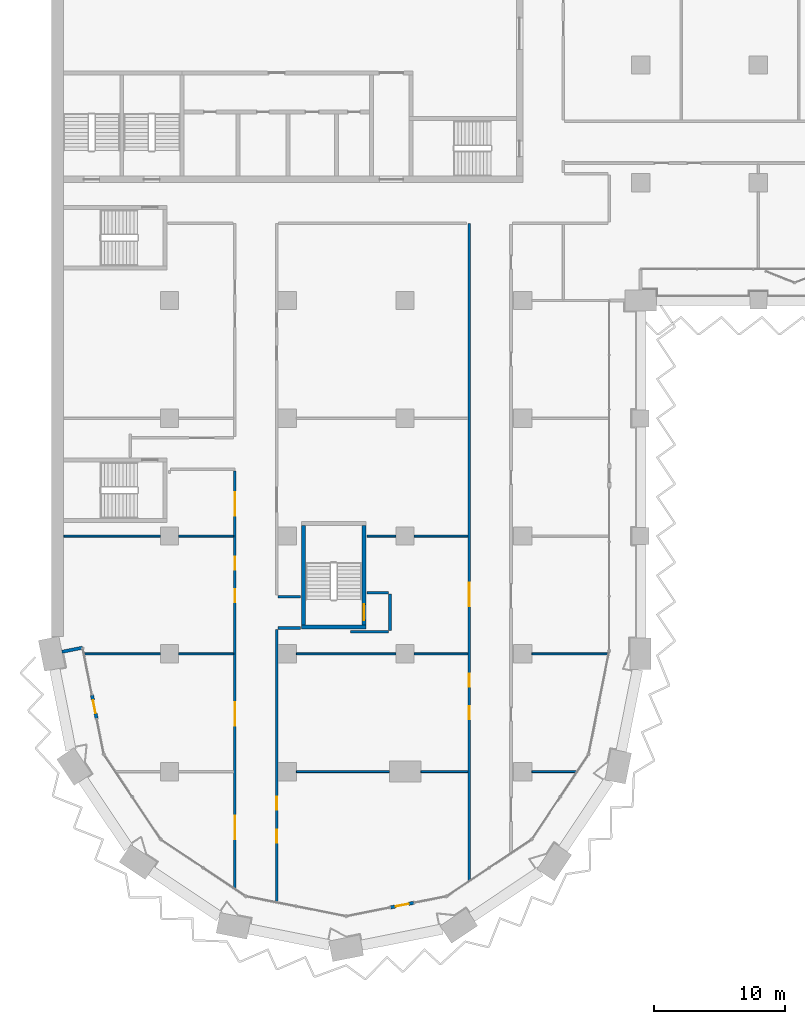
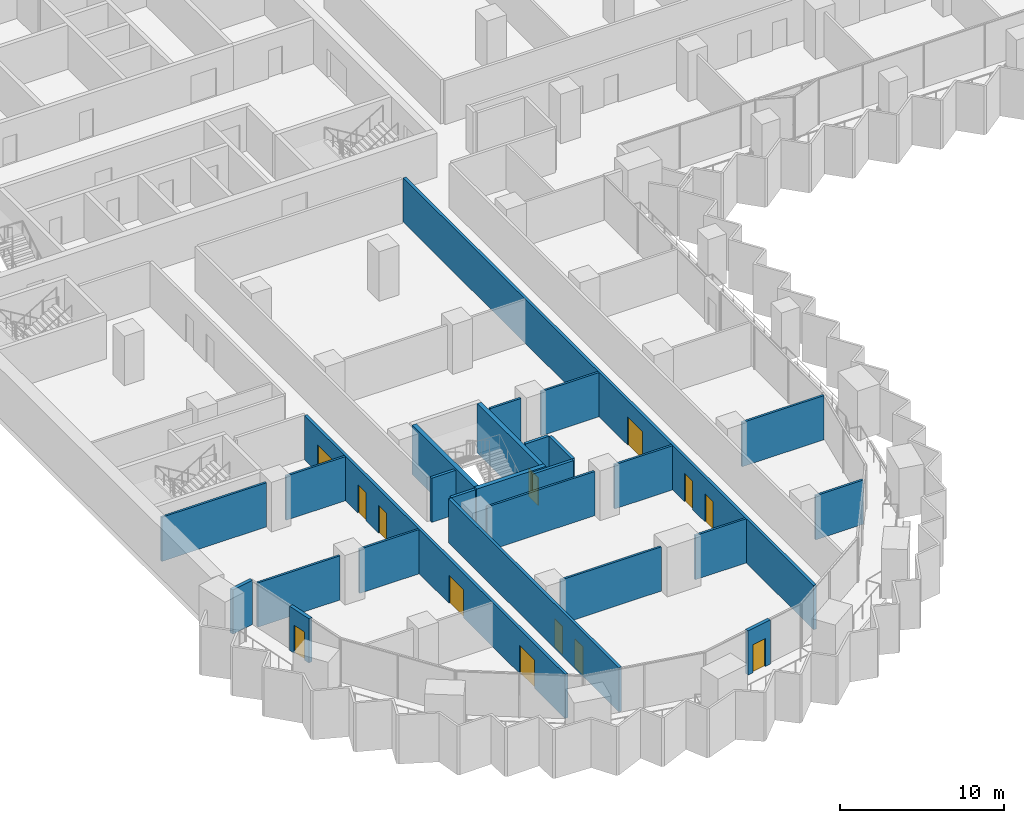
# One storey, part 10 of 28: 26 walls, 13 doors, 13 openings.
"""IFC4 building model written with IfcOpenShell, lengths in metres."""

from ifc_helpers import new_model, si_unit, direction, frame, frame_2d, origin, place, context, subcontext, project, spatial, rectangle, extrude, material, layer, layer_set, type_object, element, fill, save


model = new_model("IFC4")

# Units and contexts
model_context = context("Model", 3, precision=1e-05, world=origin(), true_north=direction((0.0, 1.0)))
body_context = subcontext(model_context, "Body", "Model", "MODEL_VIEW")
ifc_project = project(units=[si_unit("LENGTHUNIT", "METRE"), si_unit("AREAUNIT", "SQUARE_METRE"), si_unit("VOLUMEUNIT", "CUBIC_METRE"), si_unit("PLANEANGLEUNIT", "RADIAN"), si_unit("MASSUNIT", "GRAM", prefix="KILO")], contexts=[model_context])

# Site, building, storey
site_placement = place(None, origin())
site = spatial("IfcSite", under=ifc_project, at=site_placement, CompositionType="ELEMENT")
building_placement = place(site_placement, origin())
building = spatial("IfcBuilding", under=site, at=building_placement, Name="Hunhe Ridgeline Campus", CompositionType="ELEMENT")
storey_placement = place(building_placement, frame((0.0, 0.0, 39.5)))
storey = spatial("IfcBuildingStorey", under=building, at=storey_placement, Name="L08", CompositionType="ELEMENT", Elevation=39.5)

# Walls
ifc_material_1 = material(Name="Concrete C30", Category="concrete")
ifc_layer_1 = layer(ifc_material_1, 0.25)
ifc_layer_set_1 = layer_set([ifc_layer_1], Name="Corner return wall 250 Concrete C30")
wall_type_1 = type_object("IfcWallType", Name="Corner return wall 250 Concrete C30", PredefinedType="SOLIDWALL", material=ifc_layer_set_1)
wall_1_placement = place(storey_placement, frame((0.784423828125, 27.15673828125, 0.0), z_axis=(0.0, 0.0, 1.0), x_axis=(0.980826234823, 0.19488431718, 0.0)))
element("IfcWall", 1, at=wall_1_placement, inside=storey, type_object=wall_type_1, Name="Corner return wall 1", PredefinedType="SOLIDWALL", context=body_context, shape_type="SweptSolid", body=[
    extrude(rectangle(XDim=1.60107421875, YDim=0.25, at=frame_2d((0.800537109375, 0.0))), origin(), (0.0, 0.0, 1.0), 3.300048828125),
])
ifc_material_2 = material(Name="Gypsum board partition")
ifc_layer_2 = layer(ifc_material_2, 0.199951171875)
ifc_layer_set_2 = layer_set([ifc_layer_2], Name="Corridor partition 200 gypsum board on steel studs")
wall_type_2 = type_object("IfcWallType", Name="Corridor partition 200 gypsum board on steel studs", PredefinedType="PARTITIONING", material=ifc_layer_set_2)
wall_2_placement = place(storey_placement, frame((25.75, 28.675048828125, 0.0), z_axis=(0.0, 0.0, 1.0), x_axis=(-1.0, 0.0, 0.0)))
element("IfcWall", 2, at=wall_2_placement, inside=storey, type_object=wall_type_2, Name="F-L08-wall-011", PredefinedType="PARTITIONING", context=body_context, shape_type="SweptSolid", body=[
    extrude(rectangle(XDim=2.89990234375, YDim=0.199951171875, at=frame_2d((1.449951171875, 0.0))), origin(), (0.0, 0.0, 1.0), 3.300048828125),
])
for number, where, z_axis, x_axis, name in (
    (3, (18.99609375, 28.97509765625, 0.0), (0.0, 0.0, 1.0), (-1.0, 0.0, 0.0), "F-L08-wall-012"),
    (4, (17.300048828125, 31.375, 0.0), (0.0, 0.0, 1.0), (1.0, 0.0, 0.0), "F-L08-wall-013"),
):
    element("IfcWall", number, at=place(storey_placement, frame(where, z_axis=z_axis, x_axis=x_axis)), inside=storey, type_object=wall_type_2, Name=name, PredefinedType="PARTITIONING", context=body_context, shape_type="SweptSolid", body=[
        extrude(rectangle(XDim=1.696044921875, YDim=0.199951171875, at=frame_2d((0.84814453125, 0.0))), origin(), (0.0, 0.0, 1.0), 3.300048828125),
    ])
wall_3_placement = place(storey_placement, frame((24.10400390625, 31.675048828125, 0.0), z_axis=(0.0, 0.0, 1.0), x_axis=(1.0, 0.0, 0.0)))
element("IfcWall", 5, at=wall_3_placement, inside=storey, type_object=wall_type_2, Name="F-L08-wall-014", PredefinedType="PARTITIONING", context=body_context, shape_type="SweptSolid", body=[
    extrude(rectangle(XDim=1.64599609375, YDim=0.199951171875, at=frame_2d((0.822998046875, 0.0))), origin(), (0.0, 0.0, 1.0), 3.300048828125),
])

# Wall, openings, doors
wall_4_placement = place(storey_placement, frame((14.0, 9.091552734375, 0.0), z_axis=(0.0, 0.0, 1.0), x_axis=(0.0, 1.0, 0.0)))
wall_4 = element("IfcWall", 6, at=wall_4_placement, inside=storey, type_object=wall_type_2, Name="F-L08-wall-046", PredefinedType="PARTITIONING", context=body_context, shape_type="SweptSolid", body=[
    extrude(rectangle(XDim=31.8798828125, YDim=0.199951171875, at=frame_2d((15.93994140625, 0.0))), origin(), (0.0, 0.0, 1.0), 3.300048828125),
])
opening_1_placement = place(wall_4_placement, frame((3.743896484375, 0.0, 0.0)))
opening_1 = element("IfcOpeningElement", 7, at=opening_1_placement, cuts=wall_4, Name="Opening RD2-002", PredefinedType="OPENING", context=body_context, shape_type="SweptSolid", body=[
    extrude(rectangle(XDim=1.800048828125, YDim=2.10009765625, at=frame_2d((0.89990234375, 1.050048828125))), frame((0.0, 0.10009765625, 0.0), z_axis=(0.0, -1.0, 0.0), x_axis=(1.0, 0.0, 0.0)), (0.0, 0.0, 1.0), 0.199951171875),
])
opening_2_placement = place(wall_4_placement, frame((12.404296875, 0.0, 0.0)))
opening_2 = element("IfcOpeningElement", 8, at=opening_2_placement, cuts=wall_4, Name="Opening RD2-005", PredefinedType="OPENING", context=body_context, shape_type="SweptSolid", body=[
    extrude(rectangle(XDim=1.800048828125, YDim=2.10009765625, at=frame_2d((0.89990234375, 1.050048828125))), frame((0.0, 0.10009765625, 0.0), z_axis=(0.0, -1.0, 0.0), x_axis=(1.0, 0.0, 0.0)), (0.0, 0.0, 1.0), 0.199951171875),
])
opening_3_placement = place(wall_4_placement, frame((21.841064453125, 0.0, 0.0)))
opening_3 = element("IfcOpeningElement", 9, at=opening_3_placement, cuts=wall_4, Name="Opening RD1-009", PredefinedType="OPENING", context=body_context, shape_type="SweptSolid", body=[
    extrude(rectangle(XDim=1.0, YDim=2.10009765625, at=frame_2d((0.5, 1.050048828125))), frame((0.0, 0.10009765625, 0.0), z_axis=(0.0, -1.0, 0.0), x_axis=(1.0, 0.0, 0.0)), (0.0, 0.0, 1.0), 0.199951171875),
])
opening_4_placement = place(wall_4_placement, frame((24.341064453125, 0.0, 0.0)))
opening_4 = element("IfcOpeningElement", 10, at=opening_4_placement, cuts=wall_4, Name="Opening RD1-012", PredefinedType="OPENING", context=body_context, shape_type="SweptSolid", body=[
    extrude(rectangle(XDim=1.0, YDim=2.10009765625, at=frame_2d((0.5, 1.050048828125))), frame((0.0, 0.10009765625, 0.0), z_axis=(0.0, -1.0, 0.0), x_axis=(1.0, 0.0, 0.0)), (0.0, 0.0, 1.0), 0.199951171875),
])
opening_5_placement = place(wall_4_placement, frame((28.469482421875, 0.0, 0.0)))
opening_5 = element("IfcOpeningElement", 11, at=opening_5_placement, cuts=wall_4, Name="Opening RD2-013", PredefinedType="OPENING", context=body_context, shape_type="SweptSolid", body=[
    extrude(rectangle(XDim=1.800048828125, YDim=2.10009765625, at=frame_2d((0.89990234375, 1.050048828125))), frame((0.0, 0.10009765625, 0.0), z_axis=(0.0, -1.0, 0.0), x_axis=(1.0, 0.0, 0.0)), (0.0, 0.0, 1.0), 0.199951171875),
])
ifc_material_3 = material(Name="Timber door leaf", Category="wood")
door_type_1 = type_object("IfcDoorType", Name="Double fire door 1800x2100 timber FD60", OperationType="DOUBLE_DOOR_SINGLE_SWING", PredefinedType="DOOR", material=ifc_material_3)
door_1_placement = place(opening_1_placement, origin())
door_1 = element("IfcDoor", 12, at=door_1_placement, inside=storey, type_object=door_type_1, Name="F-L08-door-002", OperationType="DOUBLE_DOOR_SINGLE_SWING", OverallHeight=2.10009765625, OverallWidth=1.800048828125, PredefinedType="DOOR", context=body_context, shape_type="SweptSolid", body=[
    extrude(rectangle(XDim=1.800048828125, YDim=2.10009765625, at=frame_2d((0.89990234375, 1.050048828125))), frame((0.0, 0.02490234375, 0.0), z_axis=(0.0, -1.0, 0.0), x_axis=(1.0, 0.0, 0.0)), (0.0, 0.0, 1.0), 0.050048828125),
])
fill(opening_1, door_1)
door_2_placement = place(opening_2_placement, origin())
door_2 = element("IfcDoor", 13, at=door_2_placement, inside=storey, type_object=door_type_1, Name="F-L08-door-005", OperationType="DOUBLE_DOOR_SINGLE_SWING", OverallHeight=2.10009765625, OverallWidth=1.800048828125, PredefinedType="DOOR", context=body_context, shape_type="SweptSolid", body=[
    extrude(rectangle(XDim=1.800048828125, YDim=2.10009765625, at=frame_2d((0.89990234375, 1.050048828125))), frame((0.0, 0.02490234375, 0.0), z_axis=(0.0, -1.0, 0.0), x_axis=(1.0, 0.0, 0.0)), (0.0, 0.0, 1.0), 0.050048828125),
])
fill(opening_2, door_2)
door_3_placement = place(opening_5_placement, origin())
door_3 = element("IfcDoor", 14, at=door_3_placement, inside=storey, type_object=door_type_1, Name="F-L08-door-013", OperationType="DOUBLE_DOOR_SINGLE_SWING", OverallHeight=2.10009765625, OverallWidth=1.800048828125, PredefinedType="DOOR", context=body_context, shape_type="SweptSolid", body=[
    extrude(rectangle(XDim=1.800048828125, YDim=2.10009765625, at=frame_2d((0.89990234375, 1.050048828125))), frame((0.0, 0.02490234375, 0.0), z_axis=(0.0, -1.0, 0.0), x_axis=(1.0, 0.0, 0.0)), (0.0, 0.0, 1.0), 0.050048828125),
])
fill(opening_5, door_3)
door_type_2 = type_object("IfcDoorType", Name="Single fire door 1000x2100 timber FD60", OperationType="NOTDEFINED", PredefinedType="DOOR", material=ifc_material_3)
door_4_placement = place(opening_3_placement, frame((1.0, 0.0, 0.0), z_axis=(0.0, 0.0, 1.0), x_axis=(-1.0, 0.0, 0.0)))
door_4 = element("IfcDoor", 15, at=door_4_placement, inside=storey, type_object=door_type_2, Name="F-L08-door-009", OperationType="SINGLE_SWING_LEFT", OverallHeight=2.10009765625, OverallWidth=1.0, PredefinedType="DOOR", context=body_context, shape_type="SweptSolid", body=[
    extrude(rectangle(XDim=1.0, YDim=2.10009765625, at=frame_2d((0.5, 1.050048828125))), frame((0.0, 0.02490234375, 0.0), z_axis=(0.0, -1.0, 0.0), x_axis=(1.0, 0.0, 0.0)), (0.0, 0.0, 1.0), 0.050048828125),
])
fill(opening_3, door_4)
door_5_placement = place(opening_4_placement, frame((1.0, 0.0, 0.0), z_axis=(0.0, 0.0, 1.0), x_axis=(-1.0, 0.0, 0.0)))
door_5 = element("IfcDoor", 16, at=door_5_placement, inside=storey, type_object=door_type_2, Name="F-L08-door-012", OperationType="SINGLE_SWING_LEFT", OverallHeight=2.10009765625, OverallWidth=1.0, PredefinedType="DOOR", context=body_context, shape_type="SweptSolid", body=[
    extrude(rectangle(XDim=1.0, YDim=2.10009765625, at=frame_2d((0.5, 1.050048828125))), frame((0.0, 0.02490234375, 0.0), z_axis=(0.0, -1.0, 0.0), x_axis=(1.0, 0.0, 0.0)), (0.0, 0.0, 1.0), 0.050048828125),
])
fill(opening_4, door_5)

wall_5_placement = place(storey_placement, frame((17.199951171875, 28.875, 0.0), z_axis=(0.0, 0.0, 1.0), x_axis=(0.0, -1.0, 0.0)))
wall_5 = element("IfcWall", 17, at=wall_5_placement, inside=storey, type_object=wall_type_2, Name="F-L08-wall-048", PredefinedType="PARTITIONING", context=body_context, shape_type="SweptSolid", body=[
    extrude(rectangle(XDim=20.817626953125, YDim=0.199951171875, at=frame_2d((10.40869140625, 0.0))), origin(), (0.0, 0.0, 1.0), 3.300048828125),
])
opening_6_placement = place(wall_5_placement, frame((15.301513671875, 0.0, 0.0)))
opening_6 = element("IfcOpeningElement", 18, at=opening_6_placement, cuts=wall_5, Name="Opening RD1-001", PredefinedType="OPENING", context=body_context, shape_type="SweptSolid", body=[
    extrude(rectangle(XDim=1.0, YDim=2.10009765625, at=frame_2d((0.5, 1.050048828125))), frame((0.0, 0.10009765625, 0.0), z_axis=(0.0, -1.0, 0.0), x_axis=(1.0, 0.0, 0.0)), (0.0, 0.0, 1.0), 0.199951171875),
])
opening_7_placement = place(wall_5_placement, frame((12.801513671875, 0.0, 0.0)))
opening_7 = element("IfcOpeningElement", 19, at=opening_7_placement, cuts=wall_5, Name="Opening RD1-004", PredefinedType="OPENING", context=body_context, shape_type="SweptSolid", body=[
    extrude(rectangle(XDim=1.0, YDim=2.10009765625, at=frame_2d((0.5, 1.050048828125))), frame((0.0, 0.10009765625, 0.0), z_axis=(0.0, -1.0, 0.0), x_axis=(1.0, 0.0, 0.0)), (0.0, 0.0, 1.0), 0.199951171875),
])
door_6_placement = place(opening_6_placement, frame((1.0, 0.0, 0.0), z_axis=(0.0, 0.0, 1.0), x_axis=(-1.0, 0.0, 0.0)))
door_6 = element("IfcDoor", 20, at=door_6_placement, inside=storey, type_object=door_type_2, Name="F-L08-door-001", OperationType="SINGLE_SWING_LEFT", OverallHeight=2.10009765625, OverallWidth=1.0, PredefinedType="DOOR", context=body_context, shape_type="SweptSolid", body=[
    extrude(rectangle(XDim=1.0, YDim=2.10009765625, at=frame_2d((0.5, 1.050048828125))), frame((0.0, 0.02490234375, 0.0), z_axis=(0.0, -1.0, 0.0), x_axis=(1.0, 0.0, 0.0)), (0.0, 0.0, 1.0), 0.050048828125),
])
fill(opening_6, door_6)
door_7_placement = place(opening_7_placement, frame((1.0, 0.0, 0.0), z_axis=(0.0, 0.0, 1.0), x_axis=(-1.0, 0.0, 0.0)))
door_7 = element("IfcDoor", 21, at=door_7_placement, inside=storey, type_object=door_type_2, Name="F-L08-door-004", OperationType="SINGLE_SWING_RIGHT", OverallHeight=2.10009765625, OverallWidth=1.0, PredefinedType="DOOR", context=body_context, shape_type="SweptSolid", body=[
    extrude(rectangle(XDim=1.0, YDim=2.10009765625, at=frame_2d((0.5, 1.050048828125))), frame((0.0, 0.02490234375, 0.0), z_axis=(0.0, -1.0, 0.0), x_axis=(1.0, 0.0, 0.0)), (0.0, 0.0, 1.0), 0.050048828125),
])
fill(opening_7, door_7)

# Wall
wall_6_placement = place(storey_placement, frame((25.85009765625, 31.574951171875, 0.0), z_axis=(0.0, 0.0, 1.0), x_axis=(0.0, -1.0, 0.0)))
element("IfcWall", 22, at=wall_6_placement, inside=storey, type_object=wall_type_2, Name="F-L08-wall-050", PredefinedType="PARTITIONING", context=body_context, shape_type="SweptSolid", body=[
    extrude(rectangle(XDim=2.800048828125, YDim=0.199951171875, at=frame_2d((1.39990234375, 0.0))), origin(), (0.0, 0.0, 1.0), 3.300048828125),
])

# Wall, openings, doors
wall_7_placement = place(storey_placement, frame((31.89990234375, 9.69287109375, 0.0), z_axis=(0.0, 0.0, 1.0), x_axis=(0.0, 1.0, 0.0)))
wall_7 = element("IfcWall", 23, at=wall_7_placement, inside=storey, type_object=wall_type_2, Name="F-L08-wall-051", PredefinedType="PARTITIONING", context=body_context, shape_type="SweptSolid", body=[
    extrude(rectangle(XDim=50.20703125, YDim=0.199951171875, at=frame_2d((25.103515625, 0.0))), origin(), (0.0, 0.0, 1.0), 3.300048828125),
])
opening_8_placement = place(wall_7_placement, frame((12.302734375, 0.0, 0.0)))
opening_8 = element("IfcOpeningElement", 24, at=opening_8_placement, cuts=wall_7, Name="Opening RD1-007", PredefinedType="OPENING", context=body_context, shape_type="SweptSolid", body=[
    extrude(rectangle(XDim=1.0, YDim=2.10009765625, at=frame_2d((0.5, 1.050048828125))), frame((0.0, 0.10009765625, 0.0), z_axis=(0.0, -1.0, 0.0), x_axis=(1.0, 0.0, 0.0)), (0.0, 0.0, 1.0), 0.199951171875),
])
opening_9_placement = place(wall_7_placement, frame((14.802734375, 0.0, 0.0)))
opening_9 = element("IfcOpeningElement", 25, at=opening_9_placement, cuts=wall_7, Name="Opening RD1-008", PredefinedType="OPENING", context=body_context, shape_type="SweptSolid", body=[
    extrude(rectangle(XDim=1.0, YDim=2.10009765625, at=frame_2d((0.5, 1.050048828125))), frame((0.0, 0.10009765625, 0.0), z_axis=(0.0, -1.0, 0.0), x_axis=(1.0, 0.0, 0.0)), (0.0, 0.0, 1.0), 0.199951171875),
])
opening_10_placement = place(wall_7_placement, frame((20.940185546875, 0.0, 0.0)))
opening_10 = element("IfcOpeningElement", 26, at=opening_10_placement, cuts=wall_7, Name="Opening RD2-011", PredefinedType="OPENING", context=body_context, shape_type="SweptSolid", body=[
    extrude(rectangle(XDim=1.800048828125, YDim=2.10009765625, at=frame_2d((0.89990234375, 1.050048828125))), frame((0.0, 0.10009765625, 0.0), z_axis=(0.0, -1.0, 0.0), x_axis=(1.0, 0.0, 0.0)), (0.0, 0.0, 1.0), 0.199951171875),
])
door_8_placement = place(opening_10_placement, origin())
door_8 = element("IfcDoor", 27, at=door_8_placement, inside=storey, type_object=door_type_1, Name="F-L08-door-011", OperationType="DOUBLE_DOOR_SINGLE_SWING", OverallHeight=2.10009765625, OverallWidth=1.800048828125, PredefinedType="DOOR", context=body_context, shape_type="SweptSolid", body=[
    extrude(rectangle(XDim=1.800048828125, YDim=2.10009765625, at=frame_2d((0.89990234375, 1.050048828125))), frame((0.0, 0.02490234375, 0.0), z_axis=(0.0, -1.0, 0.0), x_axis=(1.0, 0.0, 0.0)), (0.0, 0.0, 1.0), 0.050048828125),
])
fill(opening_10, door_8)
door_9_placement = place(opening_8_placement, frame((1.0, 0.0, 0.0), z_axis=(0.0, 0.0, 1.0), x_axis=(-1.0, 0.0, 0.0)))
door_9 = element("IfcDoor", 28, at=door_9_placement, inside=storey, type_object=door_type_2, Name="F-L08-door-007", OperationType="SINGLE_SWING_LEFT", OverallHeight=2.10009765625, OverallWidth=1.0, PredefinedType="DOOR", context=body_context, shape_type="SweptSolid", body=[
    extrude(rectangle(XDim=1.0, YDim=2.10009765625, at=frame_2d((0.5, 1.050048828125))), frame((0.0, 0.02490234375, 0.0), z_axis=(0.0, -1.0, 0.0), x_axis=(1.0, 0.0, 0.0)), (0.0, 0.0, 1.0), 0.050048828125),
])
fill(opening_8, door_9)
door_10_placement = place(opening_9_placement, frame((1.0, 0.0, 0.0), z_axis=(0.0, 0.0, 1.0), x_axis=(-1.0, 0.0, 0.0)))
door_10 = element("IfcDoor", 29, at=door_10_placement, inside=storey, type_object=door_type_2, Name="F-L08-door-008", OperationType="SINGLE_SWING_LEFT", OverallHeight=2.10009765625, OverallWidth=1.0, PredefinedType="DOOR", context=body_context, shape_type="SweptSolid", body=[
    extrude(rectangle(XDim=1.0, YDim=2.10009765625, at=frame_2d((0.5, 1.050048828125))), frame((0.0, 0.02490234375, 0.0), z_axis=(0.0, -1.0, 0.0), x_axis=(1.0, 0.0, 0.0)), (0.0, 0.0, 1.0), 0.050048828125),
])
fill(opening_9, door_10)

# Wall, opening, door
ifc_layer_3 = layer(ifc_material_1, 0.25)
ifc_layer_set_3 = layer_set([ifc_layer_3], Name="Loggia door pier wall 250 Concrete C30")
wall_type_3 = type_object("IfcWallType", Name="Loggia door pier wall 250 Concrete C30", PredefinedType="SOLIDWALL", material=ifc_layer_set_3)
wall_8_placement = place(storey_placement, frame((3.076904296875, 23.8388671875, 0.0), z_axis=(0.0, 0.0, 1.0), x_axis=(0.195046569833, -0.980793982239, 0.0)))
wall_8 = element("IfcWall", 30, at=wall_8_placement, inside=storey, type_object=wall_type_3, Name="Loggia door pier 1", PredefinedType="SOLIDWALL", context=body_context, shape_type="SweptSolid", body=[
    extrude(rectangle(XDim=1.800048828125, YDim=0.25, at=frame_2d((0.89990234375, 0.0))), origin(), (0.0, 0.0, 1.0), 3.300048828125),
])
opening_11_placement = place(wall_8_placement, frame((0.39990234375, 0.0, 0.0)))
opening_11 = element("IfcOpeningElement", 31, at=opening_11_placement, cuts=wall_8, Name="Opening BD101", PredefinedType="OPENING", context=body_context, shape_type="SweptSolid", body=[
    extrude(rectangle(XDim=1.0, YDim=2.10009765625, at=frame_2d((0.5, 1.050048828125))), frame((0.0, 0.125, 0.0), z_axis=(0.0, -1.0, 0.0), x_axis=(1.0, 0.0, 0.0)), (0.0, 0.0, 1.0), 0.25),
])
ifc_material_4 = material(Name="Aluminium 6063", Category="aluminium")
door_type_3 = type_object("IfcDoorType", Name="Loggia glazed door 1000x2100", OperationType="NOTDEFINED", PredefinedType="DOOR", material=ifc_material_4)
door_11_placement = place(opening_11_placement, frame((1.0, 0.0, 0.0), z_axis=(0.0, 0.0, 1.0), x_axis=(-1.0, 0.0, 0.0)))
door_11 = element("IfcDoor", 32, at=door_11_placement, inside=storey, type_object=door_type_3, Name="Loggia door BD101", OperationType="SINGLE_SWING_RIGHT", OverallHeight=2.10009765625, OverallWidth=1.0, PredefinedType="DOOR", context=body_context, shape_type="SweptSolid", body=[
    extrude(rectangle(XDim=1.0, YDim=2.10009765625, at=frame_2d((0.5, 1.050048828125))), frame((0.0, 0.02490234375, 0.0), z_axis=(0.0, -1.0, 0.0), x_axis=(1.0, 0.0, 0.0)), (0.0, 0.0, 1.0), 0.050048828125),
])
fill(opening_11, door_11)

wall_9_placement = place(storey_placement, frame((25.8955078125, 7.62353515625, 0.0), z_axis=(0.0, 0.0, 1.0), x_axis=(0.980793982239, 0.195046569833, 0.0)))
wall_9 = element("IfcWall", 33, at=wall_9_placement, inside=storey, type_object=wall_type_3, Name="Loggia door pier 2", PredefinedType="SOLIDWALL", context=body_context, shape_type="SweptSolid", body=[
    extrude(rectangle(XDim=1.800048828125, YDim=0.25, at=frame_2d((0.89990234375, 0.0))), origin(), (0.0, 0.0, 1.0), 3.300048828125),
])
opening_12_placement = place(wall_9_placement, frame((0.39990234375, 0.0, 0.0)))
opening_12 = element("IfcOpeningElement", 34, at=opening_12_placement, cuts=wall_9, Name="Opening BD103", PredefinedType="OPENING", context=body_context, shape_type="SweptSolid", body=[
    extrude(rectangle(XDim=1.0, YDim=2.10009765625, at=frame_2d((0.5, 1.050048828125))), frame((0.0, 0.125, 0.0), z_axis=(0.0, -1.0, 0.0), x_axis=(1.0, 0.0, 0.0)), (0.0, 0.0, 1.0), 0.25),
])
door_12_placement = place(opening_12_placement, frame((1.0, 0.0, 0.0), z_axis=(0.0, 0.0, 1.0), x_axis=(-1.0, 0.0, 0.0)))
door_12 = element("IfcDoor", 35, at=door_12_placement, inside=storey, type_object=door_type_3, Name="Loggia door BD103", OperationType="SINGLE_SWING_RIGHT", OverallHeight=2.10009765625, OverallWidth=1.0, PredefinedType="DOOR", context=body_context, shape_type="SweptSolid", body=[
    extrude(rectangle(XDim=1.0, YDim=2.10009765625, at=frame_2d((0.5, 1.050048828125))), frame((0.0, 0.02490234375, 0.0), z_axis=(0.0, -1.0, 0.0), x_axis=(1.0, 0.0, 0.0)), (0.0, 0.0, 1.0), 0.050048828125),
])
fill(opening_12, door_12)

# Walls
ifc_layer_4 = layer(ifc_material_2, 0.14990234375)
ifc_layer_set_4 = layer_set([ifc_layer_4], Name="Room partition 150 gypsum board on steel studs")
wall_type_4 = type_object("IfcWallType", Name="Room partition 150 gypsum board on steel studs", PredefinedType="PARTITIONING", material=ifc_layer_set_4)
wall_10_placement = place(storey_placement, frame((18.699951171875, 18.0, 0.0), z_axis=(0.0, 0.0, 1.0), x_axis=(1.0, 0.0, 0.0)))
element("IfcWall", 36, at=wall_10_placement, inside=storey, type_object=wall_type_4, Name="F-L08-wall-003", PredefinedType="PARTITIONING", context=body_context, shape_type="SweptSolid", body=[
    extrude(rectangle(XDim=7.10009765625, YDim=0.14990234375, at=frame_2d((3.550048828125, 0.0))), origin(), (0.0, 0.0, 1.0), 3.300048828125),
])
wall_11_placement = place(storey_placement, frame((28.199951171875, 18.0, 0.0), z_axis=(0.0, 0.0, 1.0), x_axis=(1.0, 0.0, 0.0)))
element("IfcWall", 37, at=wall_11_placement, inside=storey, type_object=wall_type_4, Name="F-L08-wall-004", PredefinedType="PARTITIONING", context=body_context, shape_type="SweptSolid", body=[
    extrude(rectangle(XDim=3.60009765625, YDim=0.14990234375, at=frame_2d((1.800048828125, 0.0))), origin(), (0.0, 0.0, 1.0), 3.300048828125),
])
wall_12_placement = place(storey_placement, frame((36.699951171875, 18.0, 0.0), z_axis=(0.0, 0.0, 1.0), x_axis=(1.0, 0.0, 0.0)))
element("IfcWall", 38, at=wall_12_placement, inside=storey, type_object=wall_type_4, Name="F-L08-wall-005", PredefinedType="PARTITIONING", context=body_context, shape_type="SweptSolid", body=[
    extrude(rectangle(XDim=3.37451171875, YDim=0.14990234375, at=frame_2d((1.687255859375, 0.0))), origin(), (0.0, 0.0, 1.0), 3.300048828125),
])
wall_13_placement = place(storey_placement, frame((2.503173828125, 27.0, 0.0), z_axis=(0.0, 0.0, 1.0), x_axis=(1.0, 0.0, 0.0)))
element("IfcWall", 39, at=wall_13_placement, inside=storey, type_object=wall_type_4, Name="F-L08-wall-006", PredefinedType="PARTITIONING", context=body_context, shape_type="SweptSolid", body=[
    extrude(rectangle(XDim=5.796875, YDim=0.14990234375, at=frame_2d((2.8984375, 0.0))), origin(), (0.0, 0.0, 1.0), 3.300048828125),
])
wall_14_placement = place(storey_placement, frame((9.699951171875, 27.0, 0.0), z_axis=(0.0, 0.0, 1.0), x_axis=(1.0, 0.0, 0.0)))
element("IfcWall", 40, at=wall_14_placement, inside=storey, type_object=wall_type_4, Name="F-L08-wall-007", PredefinedType="PARTITIONING", context=body_context, shape_type="SweptSolid", body=[
    extrude(rectangle(XDim=4.199951171875, YDim=0.14990234375, at=frame_2d((2.10009765625, 0.0))), origin(), (0.0, 0.0, 1.0), 3.300048828125),
])
wall_15_placement = place(storey_placement, frame((18.699951171875, 27.0, 0.0), z_axis=(0.0, 0.0, 1.0), x_axis=(1.0, 0.0, 0.0)))
element("IfcWall", 41, at=wall_15_placement, inside=storey, type_object=wall_type_4, Name="F-L08-wall-008", PredefinedType="PARTITIONING", context=body_context, shape_type="SweptSolid", body=[
    extrude(rectangle(XDim=7.60009765625, YDim=0.14990234375, at=frame_2d((3.800048828125, 0.0))), origin(), (0.0, 0.0, 1.0), 3.300048828125),
])
wall_16_placement = place(storey_placement, frame((27.699951171875, 27.0, 0.0), z_axis=(0.0, 0.0, 1.0), x_axis=(1.0, 0.0, 0.0)))
element("IfcWall", 42, at=wall_16_placement, inside=storey, type_object=wall_type_4, Name="F-L08-wall-009", PredefinedType="PARTITIONING", context=body_context, shape_type="SweptSolid", body=[
    extrude(rectangle(XDim=4.10009765625, YDim=0.14990234375, at=frame_2d((2.050048828125, 0.0))), origin(), (0.0, 0.0, 1.0), 3.300048828125),
])
wall_17_placement = place(storey_placement, frame((36.699951171875, 27.0, 0.0), z_axis=(0.0, 0.0, 1.0), x_axis=(1.0, 0.0, 0.0)))
element("IfcWall", 43, at=wall_17_placement, inside=storey, type_object=wall_type_4, Name="F-L08-wall-010", PredefinedType="PARTITIONING", context=body_context, shape_type="SweptSolid", body=[
    extrude(rectangle(XDim=5.796875, YDim=0.14990234375, at=frame_2d((2.8984375, 0.0))), origin(), (0.0, 0.0, 1.0), 3.300048828125),
])
wall_18_placement = place(storey_placement, frame((0.919921875, 36.0, 0.0), z_axis=(0.0, 0.0, 1.0), x_axis=(1.0, 0.0, 0.0)))
element("IfcWall", 44, at=wall_18_placement, inside=storey, type_object=wall_type_4, Name="F-L08-wall-015", PredefinedType="PARTITIONING", context=body_context, shape_type="SweptSolid", body=[
    extrude(rectangle(XDim=7.380126953125, YDim=0.14990234375, at=frame_2d((3.68994140625, 0.0))), origin(), (0.0, 0.0, 1.0), 3.300048828125),
])
wall_19_placement = place(storey_placement, frame((9.699951171875, 36.0, 0.0), z_axis=(0.0, 0.0, 1.0), x_axis=(1.0, 0.0, 0.0)))
element("IfcWall", 45, at=wall_19_placement, inside=storey, type_object=wall_type_4, Name="F-L08-wall-016", PredefinedType="PARTITIONING", context=body_context, shape_type="SweptSolid", body=[
    extrude(rectangle(XDim=4.199951171875, YDim=0.14990234375, at=frame_2d((2.10009765625, 0.0))), origin(), (0.0, 0.0, 1.0), 3.300048828125),
])
wall_20_placement = place(storey_placement, frame((24.10400390625, 36.0, 0.0), z_axis=(0.0, 0.0, 1.0), x_axis=(1.0, 0.0, 0.0)))
element("IfcWall", 46, at=wall_20_placement, inside=storey, type_object=wall_type_4, Name="F-L08-wall-017", PredefinedType="PARTITIONING", context=body_context, shape_type="SweptSolid", body=[
    extrude(rectangle(XDim=2.196044921875, YDim=0.14990234375, at=frame_2d((1.09814453125, 0.0))), origin(), (0.0, 0.0, 1.0), 3.300048828125),
])
wall_21_placement = place(storey_placement, frame((27.699951171875, 36.0, 0.0), z_axis=(0.0, 0.0, 1.0), x_axis=(1.0, 0.0, 0.0)))
element("IfcWall", 47, at=wall_21_placement, inside=storey, type_object=wall_type_4, Name="F-L08-wall-018", PredefinedType="PARTITIONING", context=body_context, shape_type="SweptSolid", body=[
    extrude(rectangle(XDim=4.10009765625, YDim=0.14990234375, at=frame_2d((2.050048828125, 0.0))), origin(), (0.0, 0.0, 1.0), 3.300048828125),
])
ifc_material_5 = material(Name="Concrete C80", Category="concrete")
ifc_layer_5 = layer(ifc_material_5, 0.300048828125)
ifc_layer_set_5 = layer_set([ifc_layer_5], Name="Stair wall 300 reinforced concrete C80")
wall_type_5 = type_object("IfcWallType", Name="Stair wall 300 reinforced concrete C80", PredefinedType="SOLIDWALL", material=ifc_layer_set_5)
wall_22_placement = place(storey_placement, frame((19.10009765625, 29.050048828125, -0.39990234375), z_axis=(0.0, 0.0, 1.0), x_axis=(1.0, 0.0, 0.0)))
element("IfcWall", 48, at=wall_22_placement, inside=storey, type_object=wall_type_5, Name="L08 core wall 1", PredefinedType="SOLIDWALL", context=body_context, shape_type="SweptSolid", body=[
    extrude(rectangle(XDim=4.89990234375, YDim=0.300048828125, at=frame_2d((2.449951171875, 0.0))), origin(), (0.0, 0.0, 1.0), 3.699951171875),
])
wall_23_placement = place(storey_placement, frame((19.25, 29.199951171875, -0.39990234375), z_axis=(0.0, 0.0, 1.0), x_axis=(0.0, 1.0, 0.0)))
element("IfcWall", 49, at=wall_23_placement, inside=storey, type_object=wall_type_5, Name="L08 core wall 51", PredefinedType="SOLIDWALL", context=body_context, shape_type="SweptSolid", body=[
    extrude(rectangle(XDim=7.60009765625, YDim=0.300048828125, at=frame_2d((3.800048828125, 0.0))), origin(), (0.0, 0.0, 1.0), 3.699951171875),
])

# Wall, opening, door
wall_24_placement = place(storey_placement, frame((23.85009765625, 29.199951171875, -0.39990234375), z_axis=(0.0, 0.0, 1.0), x_axis=(0.0, 1.0, 0.0)))
wall_24 = element("IfcWall", 50, at=wall_24_placement, inside=storey, type_object=wall_type_5, Name="L08 core wall 56", PredefinedType="SOLIDWALL", context=body_context, shape_type="SweptSolid", body=[
    extrude(rectangle(XDim=7.60009765625, YDim=0.300048828125, at=frame_2d((3.800048828125, 0.0))), origin(), (0.0, 0.0, 1.0), 3.699951171875),
])
opening_13_placement = place(wall_24_placement, frame((0.375, 0.0, 0.39990234375)))
opening_13 = element("IfcOpeningElement", 51, at=opening_13_placement, cuts=wall_24, Name="Opening CD23", PredefinedType="OPENING", context=body_context, shape_type="SweptSolid", body=[
    extrude(rectangle(XDim=1.199951171875, YDim=2.10009765625, at=frame_2d((0.60009765625, 1.050048828125))), frame((0.0, 0.14990234375, 0.0), z_axis=(0.0, -1.0, 0.0), x_axis=(1.0, 0.0, 0.0)), (0.0, 0.0, 1.0), 0.300048828125),
])
ifc_material_6 = material(Name="Hollow metal fire door leaf")
door_type_4 = type_object("IfcDoorType", Name="Stair door 1200x2100 FD60", OperationType="SINGLE_SWING_LEFT", PredefinedType="DOOR", material=ifc_material_6)
door_13_placement = place(opening_13_placement, frame((1.199951171875, 0.0, 0.0), z_axis=(0.0, 0.0, 1.0), x_axis=(-1.0, 0.0, 0.0)))
door_13 = element("IfcDoor", 52, at=door_13_placement, inside=storey, type_object=door_type_4, Name="L08 door W3", OperationType="SINGLE_SWING_RIGHT", OverallHeight=2.10009765625, OverallWidth=1.199951171875, PredefinedType="DOOR", context=body_context, shape_type="SweptSolid", body=[
    extrude(rectangle(XDim=1.199951171875, YDim=2.10009765625, at=frame_2d((0.60009765625, 1.050048828125))), frame((0.0, 0.02490234375, 0.0), z_axis=(0.0, -1.0, 0.0), x_axis=(1.0, 0.0, 0.0)), (0.0, 0.0, 1.0), 0.050048828125),
])
fill(opening_13, door_13)

save(model, "model.ifc")
